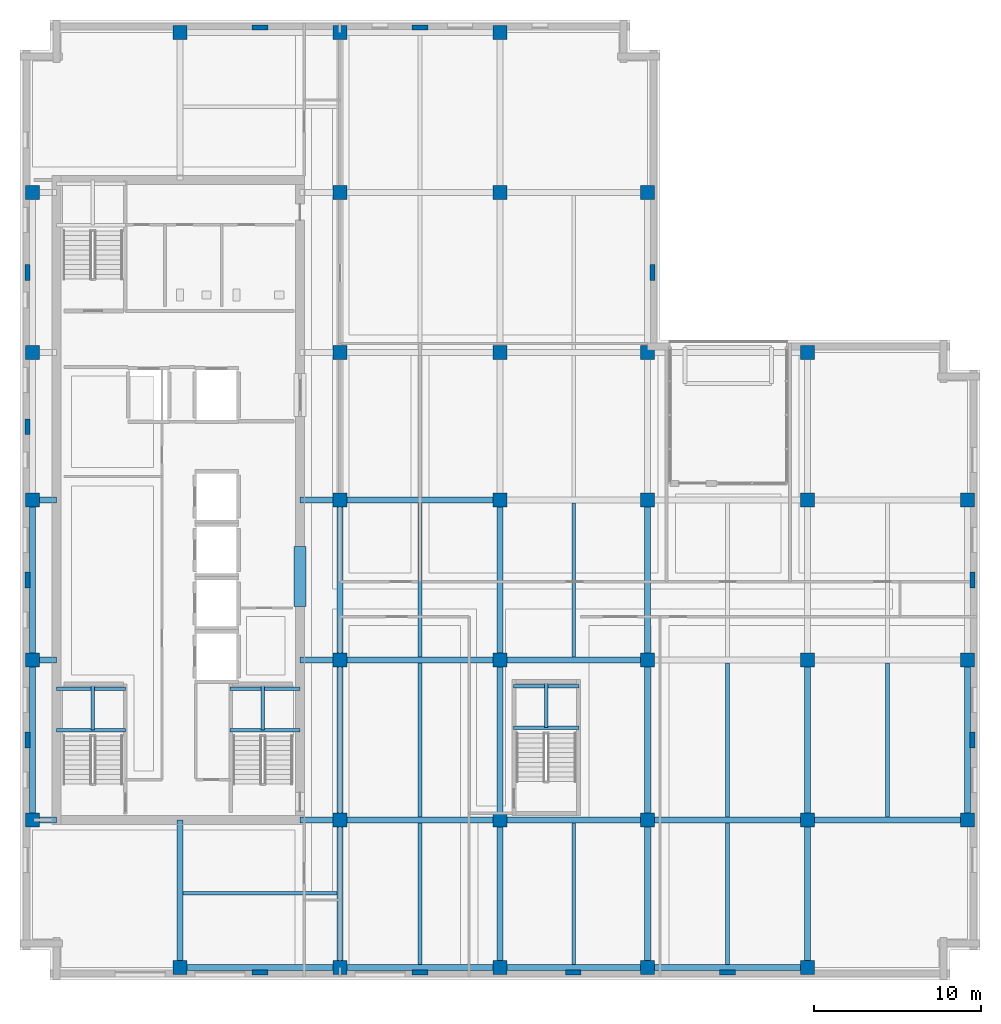
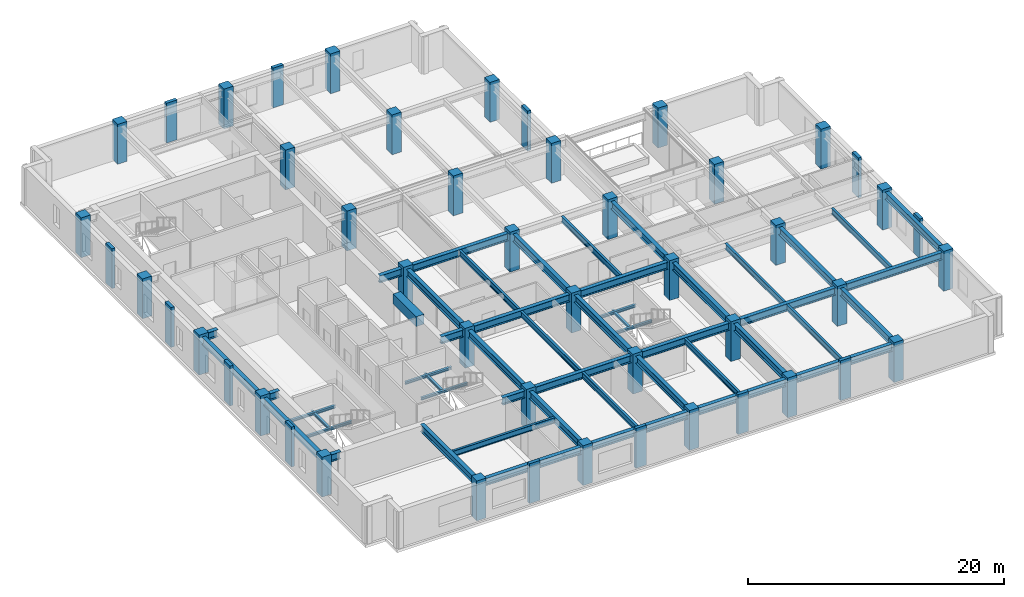
# One storey, part 1 of 14: 51 beams, 48 columns.
"""IFC4 building model written with IfcOpenShell, lengths in metres."""

from ifc_helpers import new_model, si_unit, direction, frame, origin, origin_2d, place, context, subcontext, project, spatial, rectangle, i_section, extrude, material, material_profile, profile_set, type_object, element, save


model = new_model("IFC4")

# Units and contexts
model_context = context("Model", 3, precision=1e-05, world=origin(), true_north=direction((0.0, 1.0)))
body_context = subcontext(model_context, "Body", "Model", "MODEL_VIEW")
ifc_project = project(units=[si_unit("LENGTHUNIT", "METRE"), si_unit("AREAUNIT", "SQUARE_METRE"), si_unit("VOLUMEUNIT", "CUBIC_METRE"), si_unit("PLANEANGLEUNIT", "RADIAN"), si_unit("MASSUNIT", "GRAM", prefix="KILO")], contexts=[model_context])

# Site, building, storey
site_placement = place(None, origin())
site = spatial("IfcSite", under=ifc_project, at=site_placement, CompositionType="ELEMENT")
building_placement = place(site_placement, origin())
building = spatial("IfcBuilding", under=site, at=building_placement, Name="Norrvale University Quadrangle", CompositionType="ELEMENT")
storey_placement = place(building_placement, frame((0.0, 0.0, 221.800048828125)))
storey = spatial("IfcBuildingStorey", under=building, at=storey_placement, Name="L56", CompositionType="ELEMENT", Elevation=221.800048828125)

# Columns
ifc_material_1 = material(Name="Red Manganese Brick Concrete C60/75", Category="concrete")
ifc_material_profile_1 = material_profile(ifc_material_1, rectangle(XDim=0.949951171875, YDim=0.300048828125, at=origin_2d()), Name="Red Manganese Brick Concrete C60/75")
ifc_profile_set_1 = profile_set([ifc_material_profile_1], Name="Red Manganese Brick Concrete C60/75")
column_type_1 = type_object("IfcColumnType", Name="Column Brick Pier 950x300", PredefinedType="PILASTER", material=ifc_profile_set_1)
for number, where, z_axis, x_axis, name in (
    (1, (0.449951171875, 14.39990234375, 0.0), (0.0, 0.0, 1.0), (0.0, 1.0, 0.0), "Exterior Brick Facade Pilaster L56-01"),
    (2, (0.449951171875, 24.0, 0.0), (0.0, 0.0, 1.0), (0.0, 1.0, 0.0), "Exterior Brick Facade Pilaster L56-02"),
    (3, (0.449951171875, 33.199951171875, 0.0), (0.0, 0.0, 1.0), (0.0, 1.0, 0.0), "Exterior Brick Facade Pilaster L56-03"),
    (4, (0.449951171875, 42.449951171875, 0.0), (0.0, 0.0, 1.0), (0.0, 1.0, 0.0), "Exterior Brick Facade Pilaster L56-04"),
    (5, (14.39990234375, 0.449951171875, 0.0), (0.0, 0.0, 1.0), (1.0, 0.0, 0.0), "Exterior Brick Facade Pilaster L56-05"),
    (6, (24.0, 0.449951171875, 0.0), (0.0, 0.0, 1.0), (1.0, 0.0, 0.0), "Exterior Brick Facade Pilaster L56-06"),
    (7, (33.199951171875, 0.449951171875, 0.0), (0.0, 0.0, 1.0), (1.0, 0.0, 0.0), "Exterior Brick Facade Pilaster L56-07"),
    (8, (42.449951171875, 0.449951171875, 0.0), (0.0, 0.0, 1.0), (1.0, 0.0, 0.0), "Exterior Brick Facade Pilaster L56-08"),
    (9, (57.14990234375, 14.39990234375, 0.0), (0.0, 0.0, 1.0), (0.0, 1.0, 0.0), "Exterior Brick Facade Pilaster L56-09"),
    (10, (57.14990234375, 24.0, 0.0), (0.0, 0.0, 1.0), (0.0, 1.0, 0.0), "Exterior Brick Facade Pilaster L56-10"),
    (11, (14.39990234375, 57.14990234375, 0.0), (0.0, 0.0, 1.0), (1.0, 0.0, 0.0), "Exterior Brick Facade Pilaster L56-11"),
    (12, (24.0, 57.14990234375, 0.0), (0.0, 0.0, 1.0), (1.0, 0.0, 0.0), "Exterior Brick Facade Pilaster L56-12"),
    (13, (37.949951171875, 42.449951171875, 0.0), (0.0, 0.0, 1.0), (0.0, 1.0, 0.0), "Exterior Brick Facade Pilaster L56-13"),
):
    element("IfcColumn", number, at=place(storey_placement, frame(where, z_axis=z_axis, x_axis=x_axis)), inside=storey, type_object=column_type_1, Name=name, PredefinedType="PILASTER", context=body_context, shape_type="SweptSolid", body=[
        extrude(rectangle(XDim=0.949951171875, YDim=0.300048828125, at=origin_2d()), origin(), (0.0, 0.0, 1.0), 3.800048828125),
    ])
ifc_material_2 = material(Name="Concrete C60/75", Category="concrete")
ifc_material_profile_2 = material_profile(ifc_material_2, rectangle(XDim=0.85009765625, YDim=0.85009765625, at=origin_2d()), Name="Concrete C60/75")
ifc_profile_set_2 = profile_set([ifc_material_profile_2], Name="Concrete C60/75")
column_type_2 = type_object("IfcColumnType", Name="Column Tower Z3 850x850", PredefinedType="COLUMN", material=ifc_profile_set_2)
for number, where, z_axis, x_axis, name in (
    (14, (0.75, 9.60009765625, 0.0), (0.0, 0.0, 1.0), (1.0, 0.0, 0.0), "Tower Column L56-T01"),
    (15, (0.75, 19.199951171875, 0.0), (0.0, 0.0, 1.0), (1.0, 0.0, 0.0), "Tower Column L56-T02"),
    (16, (0.75, 28.800048828125, 0.0), (0.0, 0.0, 1.0), (1.0, 0.0, 0.0), "Tower Column L56-T03"),
    (17, (0.75, 37.64990234375, 0.0), (0.0, 0.0, 1.0), (1.0, 0.0, 0.0), "Tower Column L56-T04"),
    (18, (0.75, 47.25, 0.0), (0.0, 0.0, 1.0), (1.0, 0.0, 0.0), "Tower Column L56-T05"),
    (19, (9.60009765625, 0.75, 0.0), (0.0, 0.0, 1.0), (1.0, 0.0, 0.0), "Tower Column L56-T06"),
    (20, (9.60009765625, 56.85009765625, 0.0), (0.0, 0.0, 1.0), (1.0, 0.0, 0.0), "Tower Column L56-T07"),
    (21, (19.199951171875, 0.75, 0.0), (0.0, 0.0, 1.0), (1.0, 0.0, 0.0), "Tower Column L56-T08"),
    (22, (19.199951171875, 9.60009765625, 0.0), (0.0, 0.0, 1.0), (1.0, 0.0, 0.0), "Tower Column L56-T09"),
    (23, (19.199951171875, 19.199951171875, 0.0), (0.0, 0.0, 1.0), (1.0, 0.0, 0.0), "Tower Column L56-T10"),
    (24, (19.199951171875, 28.800048828125, 0.0), (0.0, 0.0, 1.0), (1.0, 0.0, 0.0), "Tower Column L56-T11"),
    (25, (19.199951171875, 37.64990234375, 0.0), (0.0, 0.0, 1.0), (1.0, 0.0, 0.0), "Tower Column L56-T12"),
    (26, (19.199951171875, 47.25, 0.0), (0.0, 0.0, 1.0), (1.0, 0.0, 0.0), "Tower Column L56-T13"),
    (27, (19.199951171875, 56.85009765625, 0.0), (0.0, 0.0, 1.0), (1.0, 0.0, 0.0), "Tower Column L56-T14"),
    (28, (28.800048828125, 0.75, 0.0), (0.0, 0.0, 1.0), (1.0, 0.0, 0.0), "Tower Column L56-T15"),
    (29, (28.800048828125, 9.60009765625, 0.0), (0.0, 0.0, 1.0), (1.0, 0.0, 0.0), "Tower Column L56-T16"),
    (30, (28.800048828125, 19.199951171875, 0.0), (0.0, 0.0, 1.0), (1.0, 0.0, 0.0), "Tower Column L56-T17"),
    (31, (28.800048828125, 28.800048828125, 0.0), (0.0, 0.0, 1.0), (1.0, 0.0, 0.0), "Tower Column L56-T18"),
    (32, (28.800048828125, 37.64990234375, 0.0), (0.0, 0.0, 1.0), (1.0, 0.0, 0.0), "Tower Column L56-T19"),
    (33, (28.800048828125, 47.25, 0.0), (0.0, 0.0, 1.0), (1.0, 0.0, 0.0), "Tower Column L56-T20"),
    (34, (28.800048828125, 56.85009765625, 0.0), (0.0, 0.0, 1.0), (1.0, 0.0, 0.0), "Tower Column L56-T21"),
    (35, (37.64990234375, 0.75, 0.0), (0.0, 0.0, 1.0), (1.0, 0.0, 0.0), "Tower Column L56-T22"),
    (36, (37.64990234375, 9.60009765625, 0.0), (0.0, 0.0, 1.0), (1.0, 0.0, 0.0), "Tower Column L56-T23"),
    (37, (37.64990234375, 19.199951171875, 0.0), (0.0, 0.0, 1.0), (1.0, 0.0, 0.0), "Tower Column L56-T24"),
    (38, (37.64990234375, 28.800048828125, 0.0), (0.0, 0.0, 1.0), (1.0, 0.0, 0.0), "Tower Column L56-T25"),
    (39, (37.64990234375, 37.64990234375, 0.0), (0.0, 0.0, 1.0), (1.0, 0.0, 0.0), "Tower Column L56-T26"),
    (40, (37.64990234375, 47.25, 0.0), (0.0, 0.0, 1.0), (1.0, 0.0, 0.0), "Tower Column L56-T27"),
    (41, (47.25, 0.75, 0.0), (0.0, 0.0, 1.0), (1.0, 0.0, 0.0), "Tower Column L56-T28"),
    (42, (47.25, 9.60009765625, 0.0), (0.0, 0.0, 1.0), (1.0, 0.0, 0.0), "Tower Column L56-T29"),
    (43, (47.25, 19.199951171875, 0.0), (0.0, 0.0, 1.0), (1.0, 0.0, 0.0), "Tower Column L56-T30"),
    (44, (47.25, 28.800048828125, 0.0), (0.0, 0.0, 1.0), (1.0, 0.0, 0.0), "Tower Column L56-T31"),
    (45, (47.25, 37.64990234375, 0.0), (0.0, 0.0, 1.0), (1.0, 0.0, 0.0), "Tower Column L56-T32"),
    (46, (56.85009765625, 9.60009765625, 0.0), (0.0, 0.0, 1.0), (1.0, 0.0, 0.0), "Tower Column L56-T33"),
    (47, (56.85009765625, 19.199951171875, 0.0), (0.0, 0.0, 1.0), (1.0, 0.0, 0.0), "Tower Column L56-T34"),
    (48, (56.85009765625, 28.800048828125, 0.0), (0.0, 0.0, 1.0), (1.0, 0.0, 0.0), "Tower Column L56-T35"),
):
    element("IfcColumn", number, at=place(storey_placement, frame(where, z_axis=z_axis, x_axis=x_axis)), inside=storey, type_object=column_type_2, Name=name, PredefinedType="COLUMN", context=body_context, shape_type="SweptSolid", body=[
        extrude(rectangle(XDim=0.85009765625, YDim=0.85009765625, at=origin_2d()), origin(), (0.0, 0.0, 1.0), 3.800048828125),
    ])

# Beams
ifc_material_3 = material(Name="Steel 350W", Category="steel")
ifc_material_profile_3 = material_profile(ifc_material_3, i_section(OverallWidth=0.35498046875, OverallDepth=0.695068359375, WebThickness=0.015380859375, FlangeThickness=0.02490234375, FilletRadius=0.01806640625, at=origin_2d()), Name="Steel 350W")
ifc_profile_set_3 = profile_set([ifc_material_profile_3], Name="Steel 350W")
beam_type_1 = type_object("IfcBeamType", Name="Beam Belt W690x217", PredefinedType="BEAM", material=ifc_profile_set_3)
beam_1_placement = place(storey_placement, frame((9.60009765625, 0.75, 3.1923828125), z_axis=(1.0, 0.0, 0.0), x_axis=(0.0, 1.0, 0.0)))
element("IfcBeam", 49, at=beam_1_placement, inside=storey, type_object=beam_type_1, Name="Beam Belt W690x217 BM-L56-GX001", PredefinedType="BEAM", context=body_context, shape_type="SweptSolid", body=[
    extrude(i_section(OverallWidth=0.35498046875, OverallDepth=0.695068359375, WebThickness=0.015380859375, FlangeThickness=0.02490234375, FilletRadius=0.01806640625, at=origin_2d()), origin(), (0.0, 0.0, 1.0), 9.599853515625),
])
beam_2_placement = place(storey_placement, frame((19.199951171875, 0.75, 3.1923828125), z_axis=(1.0, 0.0, 0.0), x_axis=(0.0, 1.0, 0.0)))
element("IfcBeam", 50, at=beam_2_placement, inside=storey, type_object=beam_type_1, Name="Beam Belt W690x217 BM-L56-GX002", PredefinedType="BEAM", context=body_context, shape_type="SweptSolid", body=[
    extrude(i_section(OverallWidth=0.35498046875, OverallDepth=0.695068359375, WebThickness=0.015380859375, FlangeThickness=0.02490234375, FilletRadius=0.01806640625, at=origin_2d()), origin(), (0.0, 0.0, 1.0), 9.60009765625),
])
beam_3_placement = place(storey_placement, frame((28.800048828125, 0.75, 3.1923828125), z_axis=(1.0, 0.0, 0.0), x_axis=(0.0, 1.0, 0.0)))
element("IfcBeam", 51, at=beam_3_placement, inside=storey, type_object=beam_type_1, Name="Beam Belt W690x217 BM-L56-GX003", PredefinedType="BEAM", context=body_context, shape_type="SweptSolid", body=[
    extrude(i_section(OverallWidth=0.35498046875, OverallDepth=0.695068359375, WebThickness=0.015380859375, FlangeThickness=0.02490234375, FilletRadius=0.01806640625, at=origin_2d()), origin(), (0.0, 0.0, 1.0), 8.849853515625),
])
for number, where, z_axis, x_axis, name in (
    (52, (37.64990234375, 0.75, 3.1923828125), (1.0, 0.0, 0.0), (0.0, 1.0, 0.0), "Beam Belt W690x217 BM-L56-GX004"),
    (53, (19.199951171875, 9.60009765625, 3.1923828125), (1.0, 0.0, 0.0), (0.0, 1.0, 0.0), "Beam Belt W690x217 BM-L56-GX005"),
):
    element("IfcBeam", number, at=place(storey_placement, frame(where, z_axis=z_axis, x_axis=x_axis)), inside=storey, type_object=beam_type_1, Name=name, PredefinedType="BEAM", context=body_context, shape_type="SweptSolid", body=[
        extrude(i_section(OverallWidth=0.35498046875, OverallDepth=0.695068359375, WebThickness=0.015380859375, FlangeThickness=0.02490234375, FilletRadius=0.01806640625, at=origin_2d()), origin(), (0.0, 0.0, 1.0), 9.60009765625),
    ])
beam_4_placement = place(storey_placement, frame((28.800048828125, 9.60009765625, 3.1923828125), z_axis=(1.0, 0.0, 0.0), x_axis=(0.0, 1.0, 0.0)))
element("IfcBeam", 54, at=beam_4_placement, inside=storey, type_object=beam_type_1, Name="Beam Belt W690x217 BM-L56-GX006", PredefinedType="BEAM", context=body_context, shape_type="SweptSolid", body=[
    extrude(i_section(OverallWidth=0.35498046875, OverallDepth=0.695068359375, WebThickness=0.015380859375, FlangeThickness=0.02490234375, FilletRadius=0.01806640625, at=origin_2d()), origin(), (0.0, 0.0, 1.0), 8.849853515625),
])
for number, where, z_axis, x_axis, name in (
    (55, (37.64990234375, 9.60009765625, 3.1923828125), (1.0, 0.0, 0.0), (0.0, 1.0, 0.0), "Beam Belt W690x217 BM-L56-GX007"),
    (56, (47.25, 9.60009765625, 3.1923828125), (1.0, 0.0, 0.0), (0.0, 1.0, 0.0), "Beam Belt W690x217 BM-L56-GX008"),
    (57, (19.199951171875, 19.199951171875, 3.1923828125), (1.0, 0.0, 0.0), (0.0, 1.0, 0.0), "Beam Belt W690x217 BM-L56-GX009"),
):
    element("IfcBeam", number, at=place(storey_placement, frame(where, z_axis=z_axis, x_axis=x_axis)), inside=storey, type_object=beam_type_1, Name=name, PredefinedType="BEAM", context=body_context, shape_type="SweptSolid", body=[
        extrude(i_section(OverallWidth=0.35498046875, OverallDepth=0.695068359375, WebThickness=0.015380859375, FlangeThickness=0.02490234375, FilletRadius=0.01806640625, at=origin_2d()), origin(), (0.0, 0.0, 1.0), 9.60009765625),
    ])
beam_5_placement = place(storey_placement, frame((28.800048828125, 19.199951171875, 3.1923828125), z_axis=(1.0, 0.0, 0.0), x_axis=(0.0, 1.0, 0.0)))
element("IfcBeam", 58, at=beam_5_placement, inside=storey, type_object=beam_type_1, Name="Beam Belt W690x217 BM-L56-GX010", PredefinedType="BEAM", context=body_context, shape_type="SweptSolid", body=[
    extrude(i_section(OverallWidth=0.35498046875, OverallDepth=0.695068359375, WebThickness=0.015380859375, FlangeThickness=0.02490234375, FilletRadius=0.01806640625, at=origin_2d()), origin(), (0.0, 0.0, 1.0), 8.849853515625),
])
beam_6_placement = place(storey_placement, frame((19.199951171875, 28.800048828125, 3.1923828125), z_axis=(1.0, 0.0, 0.0), x_axis=(0.0, 1.0, 0.0)))
element("IfcBeam", 59, at=beam_6_placement, inside=storey, type_object=beam_type_1, Name="Beam Belt W690x217 BM-L56-GX013", PredefinedType="BEAM", context=body_context, shape_type="SweptSolid", body=[
    extrude(i_section(OverallWidth=0.35498046875, OverallDepth=0.695068359375, WebThickness=0.015380859375, FlangeThickness=0.02490234375, FilletRadius=0.01806640625, at=origin_2d()), origin(), (0.0, 0.0, 1.0), 9.60009765625),
])
beam_7_placement = place(storey_placement, frame((0.75, 9.60009765625, 3.1923828125), z_axis=(0.0, 1.0, 0.0), x_axis=(-1.0, 0.0, 0.0)))
element("IfcBeam", 60, at=beam_7_placement, inside=storey, type_object=beam_type_1, Name="Beam Belt W690x217 BM-L56-GY024", PredefinedType="BEAM", context=body_context, shape_type="SweptSolid", body=[
    extrude(i_section(OverallWidth=0.35498046875, OverallDepth=0.695068359375, WebThickness=0.015380859375, FlangeThickness=0.02490234375, FilletRadius=0.01806640625, at=origin_2d()), origin(), (0.0, 0.0, 1.0), 9.599853515625),
])
beam_8_placement = place(storey_placement, frame((0.75, 19.199951171875, 3.1923828125), z_axis=(0.0, 1.0, 0.0), x_axis=(-1.0, 0.0, 0.0)))
element("IfcBeam", 61, at=beam_8_placement, inside=storey, type_object=beam_type_1, Name="Beam Belt W690x217 BM-L56-GY025", PredefinedType="BEAM", context=body_context, shape_type="SweptSolid", body=[
    extrude(i_section(OverallWidth=0.35498046875, OverallDepth=0.695068359375, WebThickness=0.015380859375, FlangeThickness=0.02490234375, FilletRadius=0.01806640625, at=origin_2d()), origin(), (0.0, 0.0, 1.0), 9.60009765625),
])
beam_9_placement = place(storey_placement, frame((19.199951171875, 0.75, 3.1923828125), z_axis=(0.0, 1.0, 0.0), x_axis=(-1.0, 0.0, 0.0)))
element("IfcBeam", 62, at=beam_9_placement, inside=storey, type_object=beam_type_1, Name="Beam Belt W690x217 BM-L56-GY028", PredefinedType="BEAM", context=body_context, shape_type="SweptSolid", body=[
    extrude(i_section(OverallWidth=0.35498046875, OverallDepth=0.695068359375, WebThickness=0.015380859375, FlangeThickness=0.02490234375, FilletRadius=0.01806640625, at=origin_2d()), origin(), (0.0, 0.0, 1.0), 8.85009765625),
])
beam_10_placement = place(storey_placement, frame((19.199951171875, 9.60009765625, 3.1923828125), z_axis=(0.0, 1.0, 0.0), x_axis=(-1.0, 0.0, 0.0)))
element("IfcBeam", 63, at=beam_10_placement, inside=storey, type_object=beam_type_1, Name="Beam Belt W690x217 BM-L56-GY029", PredefinedType="BEAM", context=body_context, shape_type="SweptSolid", body=[
    extrude(i_section(OverallWidth=0.35498046875, OverallDepth=0.695068359375, WebThickness=0.015380859375, FlangeThickness=0.02490234375, FilletRadius=0.01806640625, at=origin_2d()), origin(), (0.0, 0.0, 1.0), 9.599853515625),
])
beam_11_placement = place(storey_placement, frame((19.199951171875, 19.199951171875, 3.1923828125), z_axis=(0.0, 1.0, 0.0), x_axis=(-1.0, 0.0, 0.0)))
element("IfcBeam", 64, at=beam_11_placement, inside=storey, type_object=beam_type_1, Name="Beam Belt W690x217 BM-L56-GY030", PredefinedType="BEAM", context=body_context, shape_type="SweptSolid", body=[
    extrude(i_section(OverallWidth=0.35498046875, OverallDepth=0.695068359375, WebThickness=0.015380859375, FlangeThickness=0.02490234375, FilletRadius=0.01806640625, at=origin_2d()), origin(), (0.0, 0.0, 1.0), 9.60009765625),
])
beam_12_placement = place(storey_placement, frame((28.800048828125, 0.75, 3.1923828125), z_axis=(0.0, 1.0, 0.0), x_axis=(-1.0, 0.0, 0.0)))
element("IfcBeam", 65, at=beam_12_placement, inside=storey, type_object=beam_type_1, Name="Beam Belt W690x217 BM-L56-GY034", PredefinedType="BEAM", context=body_context, shape_type="SweptSolid", body=[
    extrude(i_section(OverallWidth=0.35498046875, OverallDepth=0.695068359375, WebThickness=0.015380859375, FlangeThickness=0.02490234375, FilletRadius=0.01806640625, at=origin_2d()), origin(), (0.0, 0.0, 1.0), 8.85009765625),
])
beam_13_placement = place(storey_placement, frame((28.800048828125, 9.60009765625, 3.1923828125), z_axis=(0.0, 1.0, 0.0), x_axis=(-1.0, 0.0, 0.0)))
element("IfcBeam", 66, at=beam_13_placement, inside=storey, type_object=beam_type_1, Name="Beam Belt W690x217 BM-L56-GY035", PredefinedType="BEAM", context=body_context, shape_type="SweptSolid", body=[
    extrude(i_section(OverallWidth=0.35498046875, OverallDepth=0.695068359375, WebThickness=0.015380859375, FlangeThickness=0.02490234375, FilletRadius=0.01806640625, at=origin_2d()), origin(), (0.0, 0.0, 1.0), 9.599853515625),
])
beam_14_placement = place(storey_placement, frame((28.800048828125, 19.199951171875, 3.1923828125), z_axis=(0.0, 1.0, 0.0), x_axis=(-1.0, 0.0, 0.0)))
element("IfcBeam", 67, at=beam_14_placement, inside=storey, type_object=beam_type_1, Name="Beam Belt W690x217 BM-L56-GY036", PredefinedType="BEAM", context=body_context, shape_type="SweptSolid", body=[
    extrude(i_section(OverallWidth=0.35498046875, OverallDepth=0.695068359375, WebThickness=0.015380859375, FlangeThickness=0.02490234375, FilletRadius=0.01806640625, at=origin_2d()), origin(), (0.0, 0.0, 1.0), 9.60009765625),
])
beam_15_placement = place(storey_placement, frame((37.64990234375, 0.75, 3.1923828125), z_axis=(0.0, 1.0, 0.0), x_axis=(-1.0, 0.0, 0.0)))
element("IfcBeam", 68, at=beam_15_placement, inside=storey, type_object=beam_type_1, Name="Beam Belt W690x217 BM-L56-GY040", PredefinedType="BEAM", context=body_context, shape_type="SweptSolid", body=[
    extrude(i_section(OverallWidth=0.35498046875, OverallDepth=0.695068359375, WebThickness=0.015380859375, FlangeThickness=0.02490234375, FilletRadius=0.01806640625, at=origin_2d()), origin(), (0.0, 0.0, 1.0), 8.85009765625),
])
beam_16_placement = place(storey_placement, frame((37.64990234375, 9.60009765625, 3.1923828125), z_axis=(0.0, 1.0, 0.0), x_axis=(-1.0, 0.0, 0.0)))
element("IfcBeam", 69, at=beam_16_placement, inside=storey, type_object=beam_type_1, Name="Beam Belt W690x217 BM-L56-GY041", PredefinedType="BEAM", context=body_context, shape_type="SweptSolid", body=[
    extrude(i_section(OverallWidth=0.35498046875, OverallDepth=0.695068359375, WebThickness=0.015380859375, FlangeThickness=0.02490234375, FilletRadius=0.01806640625, at=origin_2d()), origin(), (0.0, 0.0, 1.0), 9.599853515625),
])
beam_17_placement = place(storey_placement, frame((37.64990234375, 19.199951171875, 3.1923828125), z_axis=(0.0, 1.0, 0.0), x_axis=(-1.0, 0.0, 0.0)))
element("IfcBeam", 70, at=beam_17_placement, inside=storey, type_object=beam_type_1, Name="Beam Belt W690x217 BM-L56-GY042", PredefinedType="BEAM", context=body_context, shape_type="SweptSolid", body=[
    extrude(i_section(OverallWidth=0.35498046875, OverallDepth=0.695068359375, WebThickness=0.015380859375, FlangeThickness=0.02490234375, FilletRadius=0.01806640625, at=origin_2d()), origin(), (0.0, 0.0, 1.0), 9.60009765625),
])
beam_18_placement = place(storey_placement, frame((47.25, 0.75, 3.1923828125), z_axis=(0.0, 1.0, 0.0), x_axis=(-1.0, 0.0, 0.0)))
element("IfcBeam", 71, at=beam_18_placement, inside=storey, type_object=beam_type_1, Name="Beam Belt W690x217 BM-L56-GY045", PredefinedType="BEAM", context=body_context, shape_type="SweptSolid", body=[
    extrude(i_section(OverallWidth=0.35498046875, OverallDepth=0.695068359375, WebThickness=0.015380859375, FlangeThickness=0.02490234375, FilletRadius=0.01806640625, at=origin_2d()), origin(), (0.0, 0.0, 1.0), 8.85009765625),
])
for number, where, z_axis, x_axis, name in (
    (72, (47.25, 9.60009765625, 3.1923828125), (0.0, 1.0, 0.0), (-1.0, 0.0, 0.0), "Beam Belt W690x217 BM-L56-GY046"),
    (73, (56.85009765625, 9.60009765625, 3.1923828125), (0.0, 1.0, 0.0), (-1.0, 0.0, 0.0), "Beam Belt W690x217 BM-L56-GY049"),
):
    element("IfcBeam", number, at=place(storey_placement, frame(where, z_axis=z_axis, x_axis=x_axis)), inside=storey, type_object=beam_type_1, Name=name, PredefinedType="BEAM", context=body_context, shape_type="SweptSolid", body=[
        extrude(i_section(OverallWidth=0.35498046875, OverallDepth=0.695068359375, WebThickness=0.015380859375, FlangeThickness=0.02490234375, FilletRadius=0.01806640625, at=origin_2d()), origin(), (0.0, 0.0, 1.0), 9.599853515625),
    ])
beam_19_placement = place(storey_placement, frame((0.75, 9.60009765625, 3.1923828125), z_axis=(1.0, 0.0, 0.0), x_axis=(0.0, 1.0, 0.0)))
element("IfcBeam", 74, at=beam_19_placement, inside=storey, type_object=beam_type_1, Name="Beam Belt W690x217 BM-L56-GCW051", PredefinedType="BEAM", context=body_context, shape_type="SweptSolid", body=[
    extrude(i_section(OverallWidth=0.35498046875, OverallDepth=0.695068359375, WebThickness=0.015380859375, FlangeThickness=0.02490234375, FilletRadius=0.01806640625, at=origin_2d()), origin(), (0.0, 0.0, 1.0), 1.449951171875),
])
beam_20_placement = place(storey_placement, frame((16.800048828125, 9.60009765625, 3.1923828125), z_axis=(1.0, 0.0, 0.0), x_axis=(0.0, 1.0, 0.0)))
element("IfcBeam", 75, at=beam_20_placement, inside=storey, type_object=beam_type_1, Name="Beam Belt W690x217 BM-L56-GCE052", PredefinedType="BEAM", context=body_context, shape_type="SweptSolid", body=[
    extrude(i_section(OverallWidth=0.35498046875, OverallDepth=0.695068359375, WebThickness=0.015380859375, FlangeThickness=0.02490234375, FilletRadius=0.01806640625, at=origin_2d()), origin(), (0.0, 0.0, 1.0), 2.39990234375),
])
beam_21_placement = place(storey_placement, frame((0.75, 19.199951171875, 3.1923828125), z_axis=(1.0, 0.0, 0.0), x_axis=(0.0, 1.0, 0.0)))
element("IfcBeam", 76, at=beam_21_placement, inside=storey, type_object=beam_type_1, Name="Beam Belt W690x217 BM-L56-GCW053", PredefinedType="BEAM", context=body_context, shape_type="SweptSolid", body=[
    extrude(i_section(OverallWidth=0.35498046875, OverallDepth=0.695068359375, WebThickness=0.015380859375, FlangeThickness=0.02490234375, FilletRadius=0.01806640625, at=origin_2d()), origin(), (0.0, 0.0, 1.0), 1.449951171875),
])
beam_22_placement = place(storey_placement, frame((16.800048828125, 19.199951171875, 3.1923828125), z_axis=(1.0, 0.0, 0.0), x_axis=(0.0, 1.0, 0.0)))
element("IfcBeam", 77, at=beam_22_placement, inside=storey, type_object=beam_type_1, Name="Beam Belt W690x217 BM-L56-GCE054", PredefinedType="BEAM", context=body_context, shape_type="SweptSolid", body=[
    extrude(i_section(OverallWidth=0.35498046875, OverallDepth=0.695068359375, WebThickness=0.015380859375, FlangeThickness=0.02490234375, FilletRadius=0.01806640625, at=origin_2d()), origin(), (0.0, 0.0, 1.0), 2.39990234375),
])
beam_23_placement = place(storey_placement, frame((0.75, 28.800048828125, 3.1923828125), z_axis=(1.0, 0.0, 0.0), x_axis=(0.0, 1.0, 0.0)))
element("IfcBeam", 78, at=beam_23_placement, inside=storey, type_object=beam_type_1, Name="Beam Belt W690x217 BM-L56-GCW055", PredefinedType="BEAM", context=body_context, shape_type="SweptSolid", body=[
    extrude(i_section(OverallWidth=0.35498046875, OverallDepth=0.695068359375, WebThickness=0.015380859375, FlangeThickness=0.02490234375, FilletRadius=0.01806640625, at=origin_2d()), origin(), (0.0, 0.0, 1.0), 1.449951171875),
])
beam_24_placement = place(storey_placement, frame((16.800048828125, 28.800048828125, 3.1923828125), z_axis=(1.0, 0.0, 0.0), x_axis=(0.0, 1.0, 0.0)))
element("IfcBeam", 79, at=beam_24_placement, inside=storey, type_object=beam_type_1, Name="Beam Belt W690x217 BM-L56-GCE056", PredefinedType="BEAM", context=body_context, shape_type="SweptSolid", body=[
    extrude(i_section(OverallWidth=0.35498046875, OverallDepth=0.695068359375, WebThickness=0.015380859375, FlangeThickness=0.02490234375, FilletRadius=0.01806640625, at=origin_2d()), origin(), (0.0, 0.0, 1.0), 2.39990234375),
])
beam_25_placement = place(storey_placement, frame((9.60009765625, 0.75, 3.1923828125), z_axis=(0.0, 1.0, 0.0), x_axis=(-1.0, 0.0, 0.0)))
element("IfcBeam", 80, at=beam_25_placement, inside=storey, type_object=beam_type_1, Name="Beam Belt W690x217 BM-L56-GCS076", PredefinedType="BEAM", context=body_context, shape_type="SweptSolid", body=[
    extrude(i_section(OverallWidth=0.35498046875, OverallDepth=0.695068359375, WebThickness=0.015380859375, FlangeThickness=0.02490234375, FilletRadius=0.01806640625, at=origin_2d()), origin(), (0.0, 0.0, 1.0), 8.85009765625),
])
ifc_material_4 = material(Name="Concrete C80/95", Category="concrete")
ifc_material_profile_4 = material_profile(ifc_material_4, rectangle(XDim=0.699951171875, YDim=0.949951171875, at=origin_2d()), Name="Concrete C80/95")
ifc_profile_set_4 = profile_set([ifc_material_profile_4], Name="Concrete C80/95")
beam_type_2 = type_object("IfcBeamType", Name="Beam Core Link 700x950", PredefinedType="LINTEL", material=ifc_profile_set_4)
beam_26_placement = place(storey_placement, frame((16.800048828125, 22.39990234375, 3.06494140625), z_axis=(0.0, 1.0, 0.0), x_axis=(-1.0, 0.0, 0.0)))
element("IfcBeam", 81, at=beam_26_placement, inside=storey, type_object=beam_type_2, Name="Core Coupling Lintel Beam L56-1", PredefinedType="LINTEL", context=body_context, shape_type="SweptSolid", body=[
    extrude(rectangle(XDim=0.699951171875, YDim=0.949951171875, at=origin_2d()), origin(), (0.0, 0.0, 1.0), 3.60009765625),
])
ifc_material_profile_5 = material_profile(ifc_material_3, i_section(OverallWidth=0.2119140625, OverallDepth=0.5439453125, WebThickness=0.01318359375, FlangeThickness=0.021240234375, FilletRadius=0.013916015625, at=origin_2d()), Name="Steel 350W")
ifc_profile_set_5 = profile_set([ifc_material_profile_5], Name="Steel 350W")
beam_type_3 = type_object("IfcBeamType", Name="Beam Floor W530x123", PredefinedType="BEAM", material=ifc_profile_set_5)
beam_27_placement = place(storey_placement, frame((24.0, 0.927490234375, 3.26806640625), z_axis=(0.0, 1.0, 0.0), x_axis=(-1.0, 0.0, 0.0)))
element("IfcBeam", 82, at=beam_27_placement, inside=storey, type_object=beam_type_3, Name="Beam Floor W530x123 BM-L56-J061", PredefinedType="BEAM", context=body_context, shape_type="SweptSolid", body=[
    extrude(i_section(OverallWidth=0.2119140625, OverallDepth=0.5439453125, WebThickness=0.01318359375, FlangeThickness=0.021240234375, FilletRadius=0.013916015625, at=origin_2d()), origin(), (0.0, 0.0, 1.0), 8.4951171875),
])
beam_28_placement = place(storey_placement, frame((24.0, 9.777587890625, 3.26806640625), z_axis=(0.0, 1.0, 0.0), x_axis=(-1.0, 0.0, 0.0)))
element("IfcBeam", 83, at=beam_28_placement, inside=storey, type_object=beam_type_3, Name="Beam Floor W530x123 BM-L56-J062", PredefinedType="BEAM", context=body_context, shape_type="SweptSolid", body=[
    extrude(i_section(OverallWidth=0.2119140625, OverallDepth=0.5439453125, WebThickness=0.01318359375, FlangeThickness=0.021240234375, FilletRadius=0.013916015625, at=origin_2d()), origin(), (0.0, 0.0, 1.0), 9.244873046875),
])
beam_29_placement = place(storey_placement, frame((24.0, 19.37744140625, 3.26806640625), z_axis=(0.0, 1.0, 0.0), x_axis=(-1.0, 0.0, 0.0)))
element("IfcBeam", 84, at=beam_29_placement, inside=storey, type_object=beam_type_3, Name="Beam Floor W530x123 BM-L56-J063", PredefinedType="BEAM", context=body_context, shape_type="SweptSolid", body=[
    extrude(i_section(OverallWidth=0.2119140625, OverallDepth=0.5439453125, WebThickness=0.01318359375, FlangeThickness=0.021240234375, FilletRadius=0.013916015625, at=origin_2d()), origin(), (0.0, 0.0, 1.0), 9.2451171875),
])
beam_30_placement = place(storey_placement, frame((33.22509765625, 0.927490234375, 3.26806640625), z_axis=(0.0, 1.0, 0.0), x_axis=(-1.0, 0.0, 0.0)))
element("IfcBeam", 85, at=beam_30_placement, inside=storey, type_object=beam_type_3, Name="Beam Floor W530x123 BM-L56-J067", PredefinedType="BEAM", context=body_context, shape_type="SweptSolid", body=[
    extrude(i_section(OverallWidth=0.2119140625, OverallDepth=0.5439453125, WebThickness=0.01318359375, FlangeThickness=0.021240234375, FilletRadius=0.013916015625, at=origin_2d()), origin(), (0.0, 0.0, 1.0), 8.4951171875),
])
beam_31_placement = place(storey_placement, frame((33.22509765625, 19.37744140625, 3.26806640625), z_axis=(0.0, 1.0, 0.0), x_axis=(-1.0, 0.0, 0.0)))
element("IfcBeam", 86, at=beam_31_placement, inside=storey, type_object=beam_type_3, Name="Beam Floor W530x123 BM-L56-J068", PredefinedType="BEAM", context=body_context, shape_type="SweptSolid", body=[
    extrude(i_section(OverallWidth=0.2119140625, OverallDepth=0.5439453125, WebThickness=0.01318359375, FlangeThickness=0.021240234375, FilletRadius=0.013916015625, at=origin_2d()), origin(), (0.0, 0.0, 1.0), 9.2451171875),
])
beam_32_placement = place(storey_placement, frame((42.449951171875, 0.927490234375, 3.26806640625), z_axis=(0.0, 1.0, 0.0), x_axis=(-1.0, 0.0, 0.0)))
element("IfcBeam", 87, at=beam_32_placement, inside=storey, type_object=beam_type_3, Name="Beam Floor W530x123 BM-L56-J071", PredefinedType="BEAM", context=body_context, shape_type="SweptSolid", body=[
    extrude(i_section(OverallWidth=0.2119140625, OverallDepth=0.5439453125, WebThickness=0.01318359375, FlangeThickness=0.021240234375, FilletRadius=0.013916015625, at=origin_2d()), origin(), (0.0, 0.0, 1.0), 8.4951171875),
])
for number, where, z_axis, x_axis, name in (
    (88, (42.449951171875, 9.777587890625, 3.26806640625), (0.0, 1.0, 0.0), (-1.0, 0.0, 0.0), "Beam Floor W530x123 BM-L56-J072"),
    (89, (52.050048828125, 9.777587890625, 3.26806640625), (0.0, 1.0, 0.0), (-1.0, 0.0, 0.0), "Beam Floor W530x123 BM-L56-J074"),
    (90, (9.777587890625, 5.199951171875, 3.26806640625), (1.0, 0.0, 0.0), (0.0, 1.0, 0.0), "Beam Floor W530x123 BM-L56-JCS077"),
):
    element("IfcBeam", number, at=place(storey_placement, frame(where, z_axis=z_axis, x_axis=x_axis)), inside=storey, type_object=beam_type_3, Name=name, PredefinedType="BEAM", context=body_context, shape_type="SweptSolid", body=[
        extrude(i_section(OverallWidth=0.2119140625, OverallDepth=0.5439453125, WebThickness=0.01318359375, FlangeThickness=0.021240234375, FilletRadius=0.013916015625, at=origin_2d()), origin(), (0.0, 0.0, 1.0), 9.244873046875),
    ])
ifc_material_profile_6 = material_profile(ifc_material_3, i_section(OverallWidth=0.201904296875, OverallDepth=0.2470703125, WebThickness=0.00732421875, FlangeThickness=0.010986328125, FilletRadius=0.011962890625, at=origin_2d()), Name="Steel 350W")
ifc_profile_set_6 = profile_set([ifc_material_profile_6], Name="Steel 350W")
beam_type_4 = type_object("IfcBeamType", Name="Beam Stair W250x49", PredefinedType="BEAM", material=ifc_profile_set_6)
for number, where, z_axis, x_axis, name in (
    (91, (2.199951171875, 14.989990234375, 1.576416015625), (1.0, 0.0, 0.0), (0.0, 1.0, 0.0), "Stair Mid-Landing Front Beam ST-01 L56"),
    (92, (2.199951171875, 17.469970703125, 1.576416015625), (1.0, 0.0, 0.0), (0.0, 1.0, 0.0), "Stair Mid-Landing Rear Beam ST-01 L56"),
):
    element("IfcBeam", number, at=place(storey_placement, frame(where, z_axis=z_axis, x_axis=x_axis)), inside=storey, type_object=beam_type_4, Name=name, PredefinedType="BEAM", context=body_context, shape_type="SweptSolid", body=[
        extrude(i_section(OverallWidth=0.201904296875, OverallDepth=0.2470703125, WebThickness=0.00732421875, FlangeThickness=0.010986328125, FilletRadius=0.011962890625, at=origin_2d()), origin(), (0.0, 0.0, 1.0), 4.14013671875),
    ])
for number, where, z_axis, x_axis, name in (
    (93, (12.610107421875, 14.989990234375, 1.576416015625), (1.0, 0.0, 0.0), (0.0, 1.0, 0.0), "Stair Mid-Landing Front Beam ST-03 L56"),
    (94, (12.610107421875, 17.469970703125, 1.576416015625), (1.0, 0.0, 0.0), (0.0, 1.0, 0.0), "Stair Mid-Landing Rear Beam ST-03 L56"),
):
    element("IfcBeam", number, at=place(storey_placement, frame(where, z_axis=z_axis, x_axis=x_axis)), inside=storey, type_object=beam_type_4, Name=name, PredefinedType="BEAM", context=body_context, shape_type="SweptSolid", body=[
        extrude(i_section(OverallWidth=0.201904296875, OverallDepth=0.2470703125, WebThickness=0.00732421875, FlangeThickness=0.010986328125, FilletRadius=0.011962890625, at=origin_2d()), origin(), (0.0, 0.0, 1.0), 4.18994140625),
    ])
for number, where, z_axis, x_axis, name in (
    (95, (29.610107421875, 15.139892578125, 1.576416015625), (1.0, 0.0, 0.0), (0.0, 1.0, 0.0), "Stair Mid-Landing Front Beam ST-04 L56"),
    (96, (29.610107421875, 17.6201171875, 1.576416015625), (1.0, 0.0, 0.0), (0.0, 1.0, 0.0), "Stair Mid-Landing Rear Beam ST-04 L56"),
):
    element("IfcBeam", number, at=place(storey_placement, frame(where, z_axis=z_axis, x_axis=x_axis)), inside=storey, type_object=beam_type_4, Name=name, PredefinedType="BEAM", context=body_context, shape_type="SweptSolid", body=[
        extrude(i_section(OverallWidth=0.201904296875, OverallDepth=0.2470703125, WebThickness=0.00732421875, FlangeThickness=0.010986328125, FilletRadius=0.011962890625, at=origin_2d()), origin(), (0.0, 0.0, 1.0), 3.929931640625),
    ])
ifc_material_profile_7 = material_profile(ifc_material_3, i_section(OverallWidth=0.202880859375, OverallDepth=0.202880859375, WebThickness=0.007080078125, FlangeThickness=0.010986328125, FilletRadius=0.010009765625, at=origin_2d()), Name="Steel 350W")
ifc_profile_set_7 = profile_set([ifc_material_profile_7], Name="Steel 350W")
beam_type_5 = type_object("IfcBeamType", Name="Beam Trim W200x46", PredefinedType="BEAM", material=ifc_profile_set_7)
for number, where, z_axis, x_axis, name in (
    (97, (4.375, 14.989990234375, 1.598388671875), (0.0, 1.0, 0.0), (-1.0, 0.0, 0.0), "Stair Mid-Landing Cross Beam ST-01 L56"),
    (98, (14.574951171875, 14.989990234375, 1.598388671875), (0.0, 1.0, 0.0), (-1.0, 0.0, 0.0), "Stair Mid-Landing Cross Beam ST-03 L56"),
    (99, (31.574951171875, 15.139892578125, 1.598388671875), (0.0, 1.0, 0.0), (-1.0, 0.0, 0.0), "Stair Mid-Landing Cross Beam ST-04 L56"),
):
    element("IfcBeam", number, at=place(storey_placement, frame(where, z_axis=z_axis, x_axis=x_axis)), inside=storey, type_object=beam_type_5, Name=name, PredefinedType="BEAM", context=body_context, shape_type="SweptSolid", body=[
        extrude(i_section(OverallWidth=0.202880859375, OverallDepth=0.202880859375, WebThickness=0.007080078125, FlangeThickness=0.010986328125, FilletRadius=0.010009765625, at=origin_2d()), origin(), (0.0, 0.0, 1.0), 2.800048828125),
    ])

save(model, "model.ifc")
